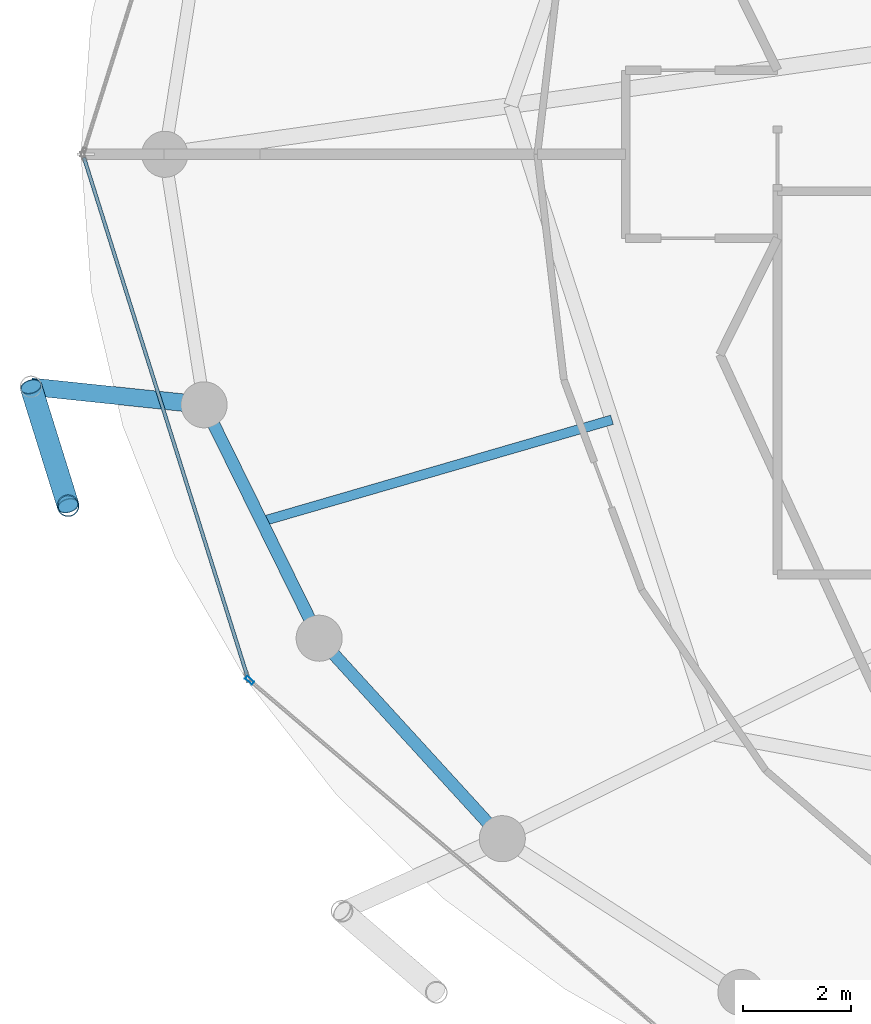
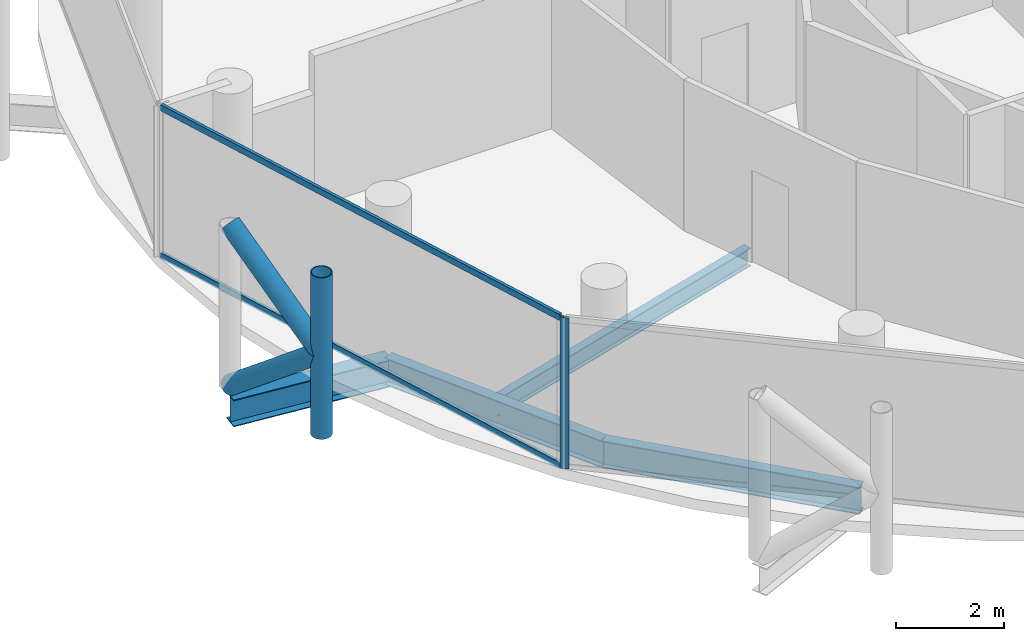
# One storey, part 3 of 28: 6 members, 4 beams, 2 elements without a shape of their own.
"""IFC4 building model written with IfcOpenShell, lengths in metres."""

import ifcopenshell
import ifcopenshell.guid

model = None  # the IFC model being written
_history = None  # IfcOwnerHistory: only IFC2X3 demands one
_inside = {}  # id of a spatial element -> (the spatial element, [elements in it])
_under = {}  # id of a project, library or spatial element -> (it, [spatial elements below it])
_declared = {}  # id of a project -> (the project, [libraries it declares])
_typed = {}  # id of a type object -> (the type object, [elements of that type])
_made_of = {}  # id of a material, layer set ... -> (it, [elements and type objects made of it])


def new_model(schema):
    """Start an empty IFC model of exactly this schema.

    Asked for "IFC4X3", IfcOpenShell would pick the latest addendum, in which some entities
    have other attributes; the version numbers below select the first issue.
    IFC2X3 requires an IfcOwnerHistory on every rooted entity: one is made here for all.
    """
    global model, _history
    if schema == "IFC4X3":
        model = ifcopenshell.file(schema_version=(4, 3, 0, 0))
    else:
        model = ifcopenshell.file(schema=schema)
    _inside.clear()
    _under.clear()
    _declared.clear()
    _typed.clear()
    _made_of.clear()
    _history = None
    if model.schema == "IFC2X3":
        org = make("IfcOrganization", Name="unknown")
        user = make(
            "IfcPersonAndOrganization",
            ThePerson=make("IfcPerson", FamilyName="unknown"),
            TheOrganization=org,
        )
        app = make(
            "IfcApplication",
            ApplicationDeveloper=org,
            Version="unknown",
            ApplicationFullName="unknown",
            ApplicationIdentifier="unknown",
        )
        _history = make(
            "IfcOwnerHistory",
            OwningUser=user,
            OwningApplication=app,
            ChangeAction="ADDED",
            CreationDate=0,
        )
    return model


def make(cls, **values):
    """One entity of the class cls with the attributes given. An attribute that is None is left unset."""
    return model.create_entity(
        cls, **{name: value for name, value in values.items() if value is not None}
    )


def rooted(cls, **values):
    """An entity with a GlobalId (a new one), such as an element, a storey or a relation."""
    return make(cls, GlobalId=ifcopenshell.guid.new(), OwnerHistory=_history, **values)


def si_unit(unit_type, name, prefix=None):
    """IfcSIUnit, for example si_unit("LENGTHUNIT", "METRE", prefix="MILLI")."""
    return make("IfcSIUnit", UnitType=unit_type, Prefix=prefix, Name=name)


def assignment(units):
    """IfcUnitAssignment: the units of a project."""
    return None if units is None else make("IfcUnitAssignment", Units=units)


def point(xyz):
    """IfcCartesianPoint."""
    return None if xyz is None else make("IfcCartesianPoint", Coordinates=xyz)


def direction(xyz):
    """IfcDirection."""
    return None if xyz is None else make("IfcDirection", DirectionRatios=xyz)


def frame(location, z_axis=None, x_axis=None):
    """IfcAxis2Placement3D, a coordinate frame: its origin and axes. An axis left out is left unset."""
    return make(
        "IfcAxis2Placement3D",
        Location=point(location),
        Axis=direction(z_axis),
        RefDirection=direction(x_axis),
    )


def frame_2d(location, x_axis=None):
    """IfcAxis2Placement2D, a coordinate frame in the plane: its origin and x axis."""
    return make(
        "IfcAxis2Placement2D", Location=point(location), RefDirection=direction(x_axis)
    )


def origin():
    """The frame at (0, 0, 0) with its axes left unset."""
    return frame((0.0, 0.0, 0.0))


def origin_2d():
    """The frame at (0, 0) in the plane with its x axis left unset."""
    return frame_2d((0.0, 0.0))


def place(relative_to, where):
    """IfcLocalPlacement: puts the frame where relative to a parent placement (None: the world)."""
    return make(
        "IfcLocalPlacement", PlacementRelTo=relative_to, RelativePlacement=where
    )


def context(
    kind, dimensions, precision=None, world=None, true_north=None, identifier=None
):
    """IfcGeometricRepresentationContext, for example the 3D "Model" context."""
    return make(
        "IfcGeometricRepresentationContext",
        ContextIdentifier=identifier,
        ContextType=kind,
        CoordinateSpaceDimension=dimensions,
        Precision=precision,
        WorldCoordinateSystem=world,
        TrueNorth=true_north,
    )


def subcontext(parent, identifier, kind, view, scale=None):
    """IfcGeometricRepresentationSubContext, for example "Body" below "Model"."""
    return make(
        "IfcGeometricRepresentationSubContext",
        ContextIdentifier=identifier,
        ContextType=kind,
        ParentContext=parent,
        TargetScale=scale,
        TargetView=view,
    )


def project(units=None, contexts=None):
    """IfcProject with its units and contexts."""
    return rooted(
        "IfcProject",
        Name="project",
        RepresentationContexts=contexts,
        UnitsInContext=assignment(units),
    )


def spatial(cls, under=None, at=None, **own):
    """A site, building, storey or space (cls), placed at a placement, below another one or the project."""
    s = rooted(cls, ObjectPlacement=at, **own)
    if under is not None:
        _under.setdefault(under.id(), (under, []))[1].append(s)
    return s


def profile(cls, at=None, kind="AREA", **sizes):
    """A parametric profile (cls). Its sizes go by their IFC names, for example OverallWidth=200.0."""
    return make(cls, ProfileType=kind, Position=at, **sizes)


def hollow_rectangle(**sizes):
    """IfcRectangleHollowProfileDef."""
    return profile("IfcRectangleHollowProfileDef", **sizes)


def hollow_circle(**sizes):
    """IfcCircleHollowProfileDef."""
    return profile("IfcCircleHollowProfileDef", **sizes)


def i_section(**sizes):
    """IfcIShapeProfileDef."""
    return profile("IfcIShapeProfileDef", **sizes)


def extrude(swept, where, along, depth):
    """IfcExtrudedAreaSolid: the profile swept, set in the frame where, extruded along a direction by depth."""
    return make(
        "IfcExtrudedAreaSolid",
        SweptArea=swept,
        Position=where,
        ExtrudedDirection=direction(along),
        Depth=depth,
    )


def shape(context_of_items, identifier, shape_type, items):
    """IfcShapeRepresentation: the items that make up one representation, for example the "Body"."""
    return make(
        "IfcShapeRepresentation",
        ContextOfItems=context_of_items,
        RepresentationIdentifier=identifier,
        RepresentationType=shape_type,
        Items=items,
    )


def material(Name=None, Category=None):
    """IfcMaterial."""
    return make("IfcMaterial", Name=Name, Category=Category)


def layer(
    of_material, thickness, ventilated=None, Name=None, Category=None, Priority=None
):
    """IfcMaterialLayer: one layer of a wall or slab, of a material (None: an air gap)."""
    return make(
        "IfcMaterialLayer",
        Material=of_material,
        LayerThickness=thickness,
        IsVentilated=ventilated,
        Name=Name,
        Category=Category,
        Priority=Priority,
    )


def layer_set(layers, Name=None):
    """IfcMaterialLayerSet."""
    return make("IfcMaterialLayerSet", MaterialLayers=layers, LayerSetName=Name)


def material_profile(
    of_material, cross_section, Name=None, Category=None, Priority=None
):
    """IfcMaterialProfile: a cross section and its material."""
    return make(
        "IfcMaterialProfile",
        Name=Name,
        Material=of_material,
        Profile=cross_section,
        Priority=Priority,
        Category=Category,
    )


def profile_set(profiles, Name=None, composite=None):
    """IfcMaterialProfileSet."""
    return make(
        "IfcMaterialProfileSet",
        Name=Name,
        MaterialProfiles=profiles,
        CompositeProfile=composite,
    )


def made_of(thing, what):
    """Note that an element or type object is made of a material, layer set ...; save() writes the relation."""
    if what is not None:
        _made_of.setdefault(what.id(), (what, []))[1].append(thing)
    return thing


def type_object(cls, material=None, **own):
    """A type object (cls), such as IfcWallType, which elements share."""
    return made_of(rooted(cls, **own), material)


def element(
    cls,
    number,
    at=None,
    inside=None,
    cuts=None,
    type_object=None,
    material=None,
    context=None,
    identifier="Body",
    shape_type=None,
    held_by="IfcProductDefinitionShape",
    body=None,
    shapes=None,
    **own,
):
    """One element of the class cls, such as IfcWall. Its Tag is "e" and its number.

    at: its placement. inside: the storey or other place that contains it. cuts: it is an
    opening in that element (IfcRelVoidsElement). A single representation is given by context,
    identifier, shape_type and body (its items); several are given by shapes. held_by: the class
    of the entity that holds the representations. save() writes the other relations.
    """
    e = rooted(cls, Tag="e%d" % number, ObjectPlacement=at, **own)
    if body is not None:
        shapes = [shape(context, identifier, shape_type, body)]
    if shapes is not None:
        e.Representation = make(held_by, Representations=shapes)
    if inside is not None:
        _inside.setdefault(inside.id(), (inside, []))[1].append(e)
    if cuts is not None:
        rooted(
            "IfcRelVoidsElement", RelatingBuildingElement=cuts, RelatedOpeningElement=e
        )
    if type_object is not None:
        _typed.setdefault(type_object.id(), (type_object, []))[1].append(e)
    return made_of(e, material)


def aggregate(whole, parts):
    """IfcRelAggregates: a whole, such as a stair, and the parts it consists of."""
    return rooted("IfcRelAggregates", RelatingObject=whole, RelatedObjects=parts)


def save(model, path):
    """Write the relations noted so far, then the file.

    IfcRelAggregates (storeys below a building ...), IfcRelContainedInSpatialStructure (elements
    in a storey), IfcRelDefinesByType, IfcRelAssociatesMaterial and IfcRelDeclares: one each for
    every whole, place, type object, material and project.
    """
    for whole, parts in _under.values():
        aggregate(whole, parts)
    for where, things in _inside.values():
        rooted(
            "IfcRelContainedInSpatialStructure",
            RelatedElements=things,
            RelatingStructure=where,
        )
    for kind, things in _typed.values():
        rooted("IfcRelDefinesByType", RelatedObjects=things, RelatingType=kind)
    for what, things in _made_of.values():
        rooted("IfcRelAssociatesMaterial", RelatedObjects=things, RelatingMaterial=what)
    for by, libraries in _declared.values():
        rooted("IfcRelDeclares", RelatingContext=by, RelatedDefinitions=libraries)
    model.write(path)


model = new_model("IFC4")

# Units and contexts
model_context = context("Model", 3, precision=1e-05, world=origin(), true_north=direction((0.0, 1.0)))
body_context = subcontext(model_context, "Body", "Model", "MODEL_VIEW")
ifc_project = project(units=[si_unit("LENGTHUNIT", "METRE"), si_unit("AREAUNIT", "SQUARE_METRE"), si_unit("VOLUMEUNIT", "CUBIC_METRE"), si_unit("PLANEANGLEUNIT", "RADIAN"), si_unit("MASSUNIT", "GRAM", prefix="KILO")], contexts=[model_context])

# Site, building, storey
site_placement = place(None, origin())
site = spatial("IfcSite", under=ifc_project, at=site_placement, CompositionType="ELEMENT")
building_placement = place(site_placement, origin())
building = spatial("IfcBuilding", under=site, at=building_placement, Name="Nuhasar Tower", CompositionType="ELEMENT")
storey_placement = place(building_placement, frame((0.0, 0.0, 222.75)))
storey = spatial("IfcBuildingStorey", under=building, at=storey_placement, Name="L54", CompositionType="ELEMENT", Elevation=222.75)

# Beams
ifc_material_1 = material(Name="Steel S355", Category="steel")
ifc_material_profile_1 = material_profile(ifc_material_1, i_section(OverallWidth=0.177978515625, OverallDepth=0.406005859375, WebThickness=0.0078125, FlangeThickness=0.0126953125, at=origin_2d()), Name="W16X40")
ifc_profile_set_1 = profile_set([ifc_material_profile_1], Name="Steel S355")
beam_type_1 = type_object("IfcBeamType", Name="BM-JST-W16X40", PredefinedType="JOIST", material=ifc_profile_set_1)
beam_1_placement = place(storey_placement, frame((25.9970703125, 21.904052734375, -0.443115234375), z_axis=(-0.960312689798, -0.27892568511, 0.0), x_axis=(0.27892568511, -0.960312689798, 0.0)))
element("IfcBeam", 1, at=beam_1_placement, inside=storey, type_object=beam_type_1, Name="L54 Secondary Floor Joist 08", PredefinedType="JOIST", context=body_context, shape_type="SweptSolid", body=[
    extrude(i_section(OverallWidth=0.177978515625, OverallDepth=0.406005859375, WebThickness=0.0078125, FlangeThickness=0.0126953125, at=origin_2d()), origin(), (0.0, 0.0, 1.0), 6.729248046875),
])
ifc_material_profile_2 = material_profile(ifc_material_1, i_section(OverallWidth=0.22802734375, OverallDepth=0.60791015625, WebThickness=0.01123046875, FlangeThickness=0.017333984375, at=origin_2d()), Name="W24X76")
ifc_profile_set_2 = profile_set([ifc_material_profile_2], Name="Steel S355")
beam_type_2 = type_object("IfcBeamType", Name="BM-RING-W24X76", PredefinedType="SPANDREL", material=ifc_profile_set_2)
beam_2_placement = place(storey_placement, frame((18.47412109375, 22.179931640625, -0.5439453125), z_axis=(0.442262779282, -0.896885518928, 0.0), x_axis=(0.896885518928, 0.442262779282, 0.0)))
element("IfcBeam", 2, at=beam_2_placement, inside=storey, type_object=beam_type_2, Name="L54 Perimeter Ring Spandrel 14", PredefinedType="SPANDREL", context=body_context, shape_type="SweptSolid", body=[
    extrude(i_section(OverallWidth=0.22802734375, OverallDepth=0.60791015625, WebThickness=0.01123046875, FlangeThickness=0.017333984375, at=origin_2d()), origin(), (0.0, 0.0, 1.0), 4.7998046875),
])
beam_3_placement = place(storey_placement, frame((20.596923828125, 17.875, -0.5439453125), z_axis=(0.674449692975, -0.738320805373, 0.0), x_axis=(0.738320805373, 0.674449692975, 0.0)))
element("IfcBeam", 3, at=beam_3_placement, inside=storey, type_object=beam_type_2, Name="L54 Perimeter Ring Spandrel 15", PredefinedType="SPANDREL", context=body_context, shape_type="SweptSolid", body=[
    extrude(i_section(OverallWidth=0.22802734375, OverallDepth=0.60791015625, WebThickness=0.01123046875, FlangeThickness=0.017333984375, at=origin_2d()), origin(), (0.0, 0.0, 1.0), 5.00732421875),
])
ifc_material_profile_3 = material_profile(ifc_material_1, i_section(OverallWidth=0.323974609375, OverallDepth=0.611083984375, WebThickness=0.0126953125, FlangeThickness=0.01904296875, at=origin_2d()), Name="W24X104")
ifc_profile_set_3 = profile_set([ifc_material_profile_3], Name="Steel S355")
beam_type_3 = type_object("IfcBeamType", Name="BM-TIE-W24X104", PredefinedType="BEAM", material=ifc_profile_set_3)
beam_4_placement = place(storey_placement, frame((18.47412109375, 22.179931640625, -0.5458984375), z_axis=(-0.994571111079, 0.10405914187, 0.0), x_axis=(-0.10405914187, -0.994571111079, 0.0)))
element("IfcBeam", 4, at=beam_4_placement, inside=storey, type_object=beam_type_3, Name="L54 Exoskeleton Node Tie Beam 07", PredefinedType="BEAM", context=body_context, shape_type="SweptSolid", body=[
    extrude(i_section(OverallWidth=0.323974609375, OverallDepth=0.611083984375, WebThickness=0.0126953125, FlangeThickness=0.01904296875, at=origin_2d()), origin(), (0.0, 0.0, 1.0), 3.20947265625),
])

# Curtain wall, member
ifc_material_2 = material(Name="Aluminium 6063-T6", Category="aluminium")
ifc_layer = layer(ifc_material_2, 0.18994140625)
ifc_layer_set = layer_set([ifc_layer], Name="Aluminium 6063-T6")
curtain_wall_type = type_object("IfcCurtainWallType", Name="CW-Z3-RES", PredefinedType="NOTDEFINED", material=ifc_layer_set)
curtain_wall_1_placement = place(storey_placement, origin())
curtain_wall_1 = element("IfcCurtainWall", 5, at=curtain_wall_1_placement, inside=storey, type_object=curtain_wall_type, Name="L54 Unitised Curtain Wall 08", PredefinedType="NOTDEFINED")
ifc_material_profile_4 = material_profile(ifc_material_2, hollow_rectangle(XDim=0.06494140625, YDim=0.169921875, WallThickness=0.0048828125, at=origin_2d()), Name="CWM-4")
ifc_profile_set_4 = profile_set([ifc_material_profile_4], Name="Aluminium 6063-T6")
member_type_1 = type_object("IfcMemberType", Name="CW-MUL-S4", PredefinedType="MULLION", material=ifc_profile_set_4)
member_1_placement = place(storey_placement, frame((19.313720703125, 17.098876953125, 0.0), z_axis=(0.0, 0.0, 1.0), x_axis=(0.64789521578, 0.761729472562, 0.0)))
member_1 = element("IfcMember", 6, at=member_1_placement, type_object=member_type_1, Name="CW-Z3 mullion 1", PredefinedType="MULLION", context=body_context, shape_type="SweptSolid", body=[
    extrude(hollow_rectangle(XDim=0.06494140625, YDim=0.169921875, WallThickness=0.0048828125, at=origin_2d()), origin(), (0.0, 0.0, 1.0), 3.409912109375),
])
aggregate(curtain_wall_1, [member_1])

# Curtain wall, members
curtain_wall_2_placement = place(storey_placement, origin())
curtain_wall_2 = element("IfcCurtainWall", 7, at=curtain_wall_2_placement, inside=storey, type_object=curtain_wall_type, Name="L54 Unitised Curtain Wall 07", PredefinedType="NOTDEFINED")
ifc_material_profile_5 = material_profile(ifc_material_2, hollow_rectangle(XDim=0.06494140625, YDim=0.139892578125, WallThickness=0.00439453125, at=origin_2d()), Name="CWT-4")
ifc_profile_set_5 = profile_set([ifc_material_profile_5], Name="Aluminium 6063-T6")
member_type_2 = type_object("IfcMemberType", Name="CW-TRN-S4", PredefinedType="USERDEFINED", material=ifc_profile_set_5)
member_2_placement = place(storey_placement, frame((16.259521484375, 26.738037109375, 0.032470703125), z_axis=(0.300430390604, -0.953803743126, 0.0), x_axis=(0.953803743126, 0.300430390604, 0.0)))
member_2 = element("IfcMember", 8, at=member_2_placement, type_object=member_type_2, Name="CW-Z3 transom 1.1", ObjectType="TRANSOM", PredefinedType="USERDEFINED", context=body_context, shape_type="SweptSolid", body=[
    extrude(hollow_rectangle(XDim=0.06494140625, YDim=0.139892578125, WallThickness=0.00439453125, at=origin_2d()), origin(), (0.0, 0.0, 1.0), 10.01904296875),
])
member_3_placement = place(storey_placement, frame((16.259521484375, 26.738037109375, 3.37744140625), z_axis=(0.300430390604, -0.953803743126, 0.0), x_axis=(0.953803743126, 0.300430390604, 0.0)))
member_3 = element("IfcMember", 9, at=member_3_placement, type_object=member_type_2, Name="CW-Z3 transom 1.2", ObjectType="TRANSOM", PredefinedType="USERDEFINED", context=body_context, shape_type="SweptSolid", body=[
    extrude(hollow_rectangle(XDim=0.06494140625, YDim=0.139892578125, WallThickness=0.00439453125, at=origin_2d()), origin(), (0.0, 0.0, 1.0), 10.01904296875),
])
aggregate(curtain_wall_2, [member_2, member_3])

# Members
ifc_material_3 = material(Name="Steel S460", Category="steel")
ifc_material_profile_6 = material_profile(ifc_material_3, hollow_circle(Radius=0.203125, WallThickness=0.01904296875, at=origin_2d()), Name="HSS406.4X19.1")
ifc_profile_set_6 = profile_set([ifc_material_profile_6], Name="Steel S460")
member_type_3 = type_object("IfcMemberType", Name="EXO-BRONZE-406", PredefinedType="BRACE", material=ifc_profile_set_6)
member_4_placement = place(storey_placement, frame((15.967041015625, 20.319091796875, 0.0), z_axis=(0.0, 0.0, 1.0), x_axis=(1.0, 0.0, 0.0)))
element("IfcMember", 10, at=member_4_placement, inside=storey, type_object=member_type_3, Name="L54 Exoskeleton Chord Column EC-07B", PredefinedType="BRACE", context=body_context, shape_type="SweptSolid", body=[
    extrude(hollow_circle(Radius=0.203125, WallThickness=0.01904296875, at=origin_2d()), origin(), (0.0, 0.0, 1.0), 3.64990234375),
])
for number, where, z_axis, x_axis, name in (
    (11, (15.281982421875, 22.513916015625, 0.0), (0.233372423355, -0.747689980743, 0.621688832709), (0.954581948223, 0.297948492404, 0.0), "L54 Bronze Diagrid Brace W1-07"),
    (12, (15.967041015625, 20.319091796875, 1.824951171875), (-0.233372423355, 0.747689980743, 0.621688832709), (-0.954581948223, -0.297948492404, 0.0), "L54 Bronze Diagrid Brace W2-07"),
):
    element("IfcMember", number, at=place(storey_placement, frame(where, z_axis=z_axis, x_axis=x_axis)), inside=storey, type_object=member_type_3, Name=name, PredefinedType="BRACE", context=body_context, shape_type="SweptSolid", body=[
        extrude(hollow_circle(Radius=0.203125, WallThickness=0.01904296875, at=origin_2d()), origin(), (0.0, 0.0, 1.0), 2.935546875),
    ])

save(model, "model.ifc")
